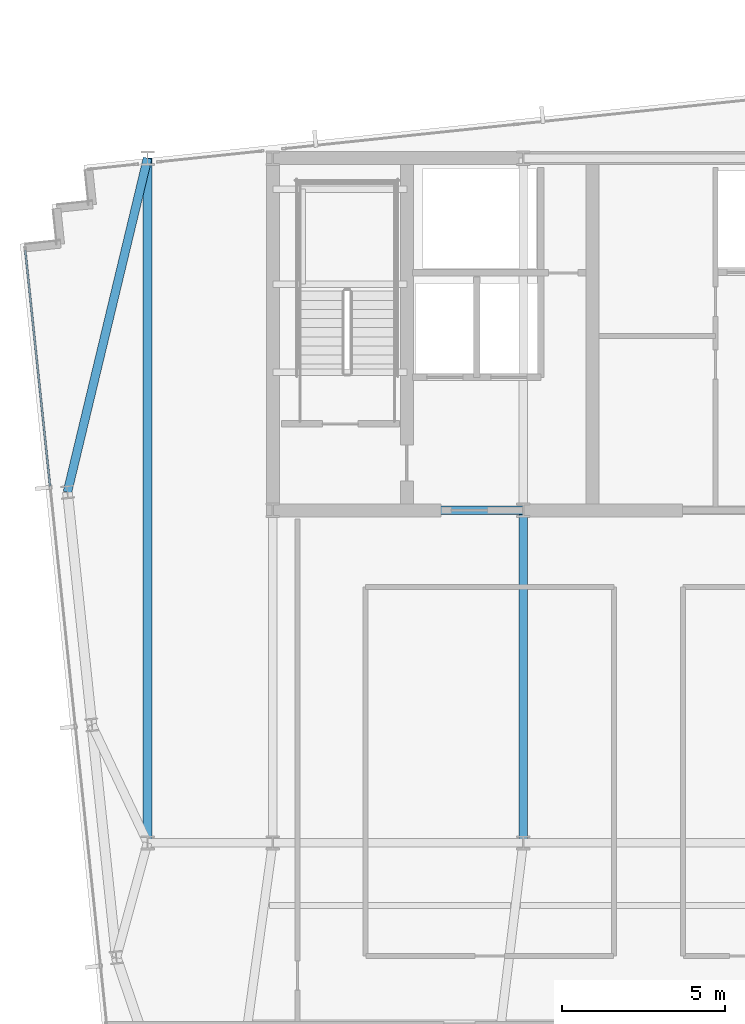
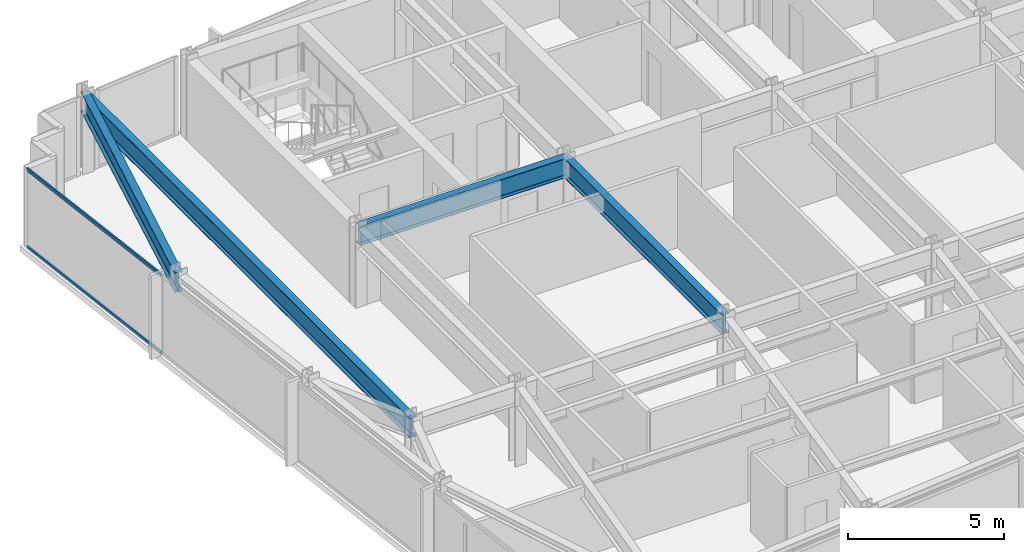
# One storey, part 11 of 32: 4 beams, 2 members, 1 element without a shape of its own.
"""IFC4 building model written with IfcOpenShell, lengths in metres."""

import ifcopenshell
import ifcopenshell.guid

model = None  # the IFC model being written
_history = None  # IfcOwnerHistory: only IFC2X3 demands one
_inside = {}  # id of a spatial element -> (the spatial element, [elements in it])
_under = {}  # id of a project, library or spatial element -> (it, [spatial elements below it])
_declared = {}  # id of a project -> (the project, [libraries it declares])
_typed = {}  # id of a type object -> (the type object, [elements of that type])
_made_of = {}  # id of a material, layer set ... -> (it, [elements and type objects made of it])


def new_model(schema):
    """Start an empty IFC model of exactly this schema.

    Asked for "IFC4X3", IfcOpenShell would pick the latest addendum, in which some entities
    have other attributes; the version numbers below select the first issue.
    IFC2X3 requires an IfcOwnerHistory on every rooted entity: one is made here for all.
    """
    global model, _history
    if schema == "IFC4X3":
        model = ifcopenshell.file(schema_version=(4, 3, 0, 0))
    else:
        model = ifcopenshell.file(schema=schema)
    _inside.clear()
    _under.clear()
    _declared.clear()
    _typed.clear()
    _made_of.clear()
    _history = None
    if model.schema == "IFC2X3":
        org = make("IfcOrganization", Name="unknown")
        user = make(
            "IfcPersonAndOrganization",
            ThePerson=make("IfcPerson", FamilyName="unknown"),
            TheOrganization=org,
        )
        app = make(
            "IfcApplication",
            ApplicationDeveloper=org,
            Version="unknown",
            ApplicationFullName="unknown",
            ApplicationIdentifier="unknown",
        )
        _history = make(
            "IfcOwnerHistory",
            OwningUser=user,
            OwningApplication=app,
            ChangeAction="ADDED",
            CreationDate=0,
        )
    return model


def make(cls, **values):
    """One entity of the class cls with the attributes given. An attribute that is None is left unset."""
    return model.create_entity(
        cls, **{name: value for name, value in values.items() if value is not None}
    )


def rooted(cls, **values):
    """An entity with a GlobalId (a new one), such as an element, a storey or a relation."""
    return make(cls, GlobalId=ifcopenshell.guid.new(), OwnerHistory=_history, **values)


def si_unit(unit_type, name, prefix=None):
    """IfcSIUnit, for example si_unit("LENGTHUNIT", "METRE", prefix="MILLI")."""
    return make("IfcSIUnit", UnitType=unit_type, Prefix=prefix, Name=name)


def assignment(units):
    """IfcUnitAssignment: the units of a project."""
    return None if units is None else make("IfcUnitAssignment", Units=units)


def point(xyz):
    """IfcCartesianPoint."""
    return None if xyz is None else make("IfcCartesianPoint", Coordinates=xyz)


def direction(xyz):
    """IfcDirection."""
    return None if xyz is None else make("IfcDirection", DirectionRatios=xyz)


def frame(location, z_axis=None, x_axis=None):
    """IfcAxis2Placement3D, a coordinate frame: its origin and axes. An axis left out is left unset."""
    return make(
        "IfcAxis2Placement3D",
        Location=point(location),
        Axis=direction(z_axis),
        RefDirection=direction(x_axis),
    )


def frame_2d(location, x_axis=None):
    """IfcAxis2Placement2D, a coordinate frame in the plane: its origin and x axis."""
    return make(
        "IfcAxis2Placement2D", Location=point(location), RefDirection=direction(x_axis)
    )


def origin():
    """The frame at (0, 0, 0) with its axes left unset."""
    return frame((0.0, 0.0, 0.0))


def origin_2d():
    """The frame at (0, 0) in the plane with its x axis left unset."""
    return frame_2d((0.0, 0.0))


def place(relative_to, where):
    """IfcLocalPlacement: puts the frame where relative to a parent placement (None: the world)."""
    return make(
        "IfcLocalPlacement", PlacementRelTo=relative_to, RelativePlacement=where
    )


def context(
    kind, dimensions, precision=None, world=None, true_north=None, identifier=None
):
    """IfcGeometricRepresentationContext, for example the 3D "Model" context."""
    return make(
        "IfcGeometricRepresentationContext",
        ContextIdentifier=identifier,
        ContextType=kind,
        CoordinateSpaceDimension=dimensions,
        Precision=precision,
        WorldCoordinateSystem=world,
        TrueNorth=true_north,
    )


def subcontext(parent, identifier, kind, view, scale=None):
    """IfcGeometricRepresentationSubContext, for example "Body" below "Model"."""
    return make(
        "IfcGeometricRepresentationSubContext",
        ContextIdentifier=identifier,
        ContextType=kind,
        ParentContext=parent,
        TargetScale=scale,
        TargetView=view,
    )


def project(units=None, contexts=None):
    """IfcProject with its units and contexts."""
    return rooted(
        "IfcProject",
        Name="project",
        RepresentationContexts=contexts,
        UnitsInContext=assignment(units),
    )


def spatial(cls, under=None, at=None, **own):
    """A site, building, storey or space (cls), placed at a placement, below another one or the project."""
    s = rooted(cls, ObjectPlacement=at, **own)
    if under is not None:
        _under.setdefault(under.id(), (under, []))[1].append(s)
    return s


def profile(cls, at=None, kind="AREA", **sizes):
    """A parametric profile (cls). Its sizes go by their IFC names, for example OverallWidth=200.0."""
    return make(cls, ProfileType=kind, Position=at, **sizes)


def hollow_rectangle(**sizes):
    """IfcRectangleHollowProfileDef."""
    return profile("IfcRectangleHollowProfileDef", **sizes)


def i_section(**sizes):
    """IfcIShapeProfileDef."""
    return profile("IfcIShapeProfileDef", **sizes)


def extrude(swept, where, along, depth):
    """IfcExtrudedAreaSolid: the profile swept, set in the frame where, extruded along a direction by depth."""
    return make(
        "IfcExtrudedAreaSolid",
        SweptArea=swept,
        Position=where,
        ExtrudedDirection=direction(along),
        Depth=depth,
    )


def shape(context_of_items, identifier, shape_type, items):
    """IfcShapeRepresentation: the items that make up one representation, for example the "Body"."""
    return make(
        "IfcShapeRepresentation",
        ContextOfItems=context_of_items,
        RepresentationIdentifier=identifier,
        RepresentationType=shape_type,
        Items=items,
    )


def material(Name=None, Category=None):
    """IfcMaterial."""
    return make("IfcMaterial", Name=Name, Category=Category)


def material_profile(
    of_material, cross_section, Name=None, Category=None, Priority=None
):
    """IfcMaterialProfile: a cross section and its material."""
    return make(
        "IfcMaterialProfile",
        Name=Name,
        Material=of_material,
        Profile=cross_section,
        Priority=Priority,
        Category=Category,
    )


def profile_set(profiles, Name=None, composite=None):
    """IfcMaterialProfileSet."""
    return make(
        "IfcMaterialProfileSet",
        Name=Name,
        MaterialProfiles=profiles,
        CompositeProfile=composite,
    )


def made_of(thing, what):
    """Note that an element or type object is made of a material, layer set ...; save() writes the relation."""
    if what is not None:
        _made_of.setdefault(what.id(), (what, []))[1].append(thing)
    return thing


def type_object(cls, material=None, **own):
    """A type object (cls), such as IfcWallType, which elements share."""
    return made_of(rooted(cls, **own), material)


def element(
    cls,
    number,
    at=None,
    inside=None,
    cuts=None,
    type_object=None,
    material=None,
    context=None,
    identifier="Body",
    shape_type=None,
    held_by="IfcProductDefinitionShape",
    body=None,
    shapes=None,
    **own,
):
    """One element of the class cls, such as IfcWall. Its Tag is "e" and its number.

    at: its placement. inside: the storey or other place that contains it. cuts: it is an
    opening in that element (IfcRelVoidsElement). A single representation is given by context,
    identifier, shape_type and body (its items); several are given by shapes. held_by: the class
    of the entity that holds the representations. save() writes the other relations.
    """
    e = rooted(cls, Tag="e%d" % number, ObjectPlacement=at, **own)
    if body is not None:
        shapes = [shape(context, identifier, shape_type, body)]
    if shapes is not None:
        e.Representation = make(held_by, Representations=shapes)
    if inside is not None:
        _inside.setdefault(inside.id(), (inside, []))[1].append(e)
    if cuts is not None:
        rooted(
            "IfcRelVoidsElement", RelatingBuildingElement=cuts, RelatedOpeningElement=e
        )
    if type_object is not None:
        _typed.setdefault(type_object.id(), (type_object, []))[1].append(e)
    return made_of(e, material)


def aggregate(whole, parts):
    """IfcRelAggregates: a whole, such as a stair, and the parts it consists of."""
    return rooted("IfcRelAggregates", RelatingObject=whole, RelatedObjects=parts)


def save(model, path):
    """Write the relations noted so far, then the file.

    IfcRelAggregates (storeys below a building ...), IfcRelContainedInSpatialStructure (elements
    in a storey), IfcRelDefinesByType, IfcRelAssociatesMaterial and IfcRelDeclares: one each for
    every whole, place, type object, material and project.
    """
    for whole, parts in _under.values():
        aggregate(whole, parts)
    for where, things in _inside.values():
        rooted(
            "IfcRelContainedInSpatialStructure",
            RelatedElements=things,
            RelatingStructure=where,
        )
    for kind, things in _typed.values():
        rooted("IfcRelDefinesByType", RelatedObjects=things, RelatingType=kind)
    for what, things in _made_of.values():
        rooted("IfcRelAssociatesMaterial", RelatedObjects=things, RelatingMaterial=what)
    for by, libraries in _declared.values():
        rooted("IfcRelDeclares", RelatingContext=by, RelatedDefinitions=libraries)
    model.write(path)


model = new_model("IFC4")

# Units and contexts
model_context = context("Model", 3, precision=1e-05, world=origin(), true_north=direction((0.0, 1.0)))
body_context = subcontext(model_context, "Body", "Model", "MODEL_VIEW")
ifc_project = project(units=[si_unit("LENGTHUNIT", "METRE"), si_unit("AREAUNIT", "SQUARE_METRE"), si_unit("VOLUMEUNIT", "CUBIC_METRE"), si_unit("PLANEANGLEUNIT", "RADIAN"), si_unit("MASSUNIT", "GRAM", prefix="KILO")], contexts=[model_context])

# Site, building, storey
site_placement = place(None, origin())
site = spatial("IfcSite", under=ifc_project, at=site_placement, CompositionType="ELEMENT")
building_placement = place(site_placement, origin())
building = spatial("IfcBuilding", under=site, at=building_placement, Name="Yelkora Congress Tower", CompositionType="ELEMENT")
storey_placement = place(building_placement, frame((0.0, 0.0, 217.699951171875)))
storey = spatial("IfcBuildingStorey", under=building, at=storey_placement, Name="L60", CompositionType="ELEMENT", Elevation=217.699951171875)

# Beams
ifc_material_1 = material(Name="Steel S355J2", Category="steel")
ifc_material_profile_1 = material_profile(ifc_material_1, i_section(OverallWidth=0.26708984375, OverallDepth=0.761962890625, WebThickness=0.014404296875, FlangeThickness=0.021484375, FilletRadius=0.01708984375, at=origin_2d()), Name="IPE 750x173")
ifc_profile_set_1 = profile_set([ifc_material_profile_1], Name="Steel S355J2")
beam_type = type_object("IfcBeamType", Name="BM-GIRD-IPE750", PredefinedType="BEAM", material=ifc_profile_set_1)
beam_1_placement = place(storey_placement, frame((23.0400390625, 35.39990234375, 2.698974609375), z_axis=(1.0, 0.0, 0.0), x_axis=(0.0, 1.0, 0.0)))
element("IfcBeam", 1, at=beam_1_placement, inside=storey, type_object=beam_type, Name="L60 Core South Girder 1", PredefinedType="BEAM", context=body_context, shape_type="SweptSolid", body=[
    extrude(i_section(OverallWidth=0.26708984375, OverallDepth=0.761962890625, WebThickness=0.014404296875, FlangeThickness=0.021484375, FilletRadius=0.01708984375, at=origin_2d()), origin(), (0.0, 0.0, 1.0), 7.679931640625),
])
beam_2_placement = place(storey_placement, frame((30.719970703125, 25.199951171875, 2.698974609375), z_axis=(0.0, 1.0, 0.0), x_axis=(-1.0, 0.0, 0.0)))
element("IfcBeam", 2, at=beam_2_placement, inside=storey, type_object=beam_type, Name="L60 Core Tie Girder MC-D2", PredefinedType="BEAM", context=body_context, shape_type="SweptSolid", body=[
    extrude(i_section(OverallWidth=0.26708984375, OverallDepth=0.761962890625, WebThickness=0.014404296875, FlangeThickness=0.021484375, FilletRadius=0.01708984375, at=origin_2d()), origin(), (0.0, 0.0, 1.0), 10.199951171875),
])
beam_3_placement = place(storey_placement, frame((19.199951171875, 25.199951171875, 2.698974609375), z_axis=(0.0, 1.0, 0.0), x_axis=(-1.0, 0.0, 0.0)))
element("IfcBeam", 3, at=beam_3_placement, inside=storey, type_object=beam_type, Name="L60 Neck Flank Girder MC-F1", PredefinedType="BEAM", context=body_context, shape_type="SweptSolid", body=[
    extrude(i_section(OverallWidth=0.26708984375, OverallDepth=0.761962890625, WebThickness=0.014404296875, FlangeThickness=0.021484375, FilletRadius=0.01708984375, at=origin_2d()), origin(), (0.0, 0.0, 1.0), 21.0),
])
beam_4_placement = place(storey_placement, frame((16.7412109375, 35.95458984375, 2.698974609375), z_axis=(0.233359806768, 0.972390456856, 0.0), x_axis=(-0.972390456856, 0.233359806768, 0.0)))
element("IfcBeam", 4, at=beam_4_placement, inside=storey, type_object=beam_type, Name="L60 Primary Frame Girder W03", PredefinedType="BEAM", context=body_context, shape_type="SweptSolid", body=[
    extrude(i_section(OverallWidth=0.26708984375, OverallDepth=0.761962890625, WebThickness=0.014404296875, FlangeThickness=0.021484375, FilletRadius=0.01708984375, at=origin_2d()), origin(), (0.0, 0.0, 1.0), 10.536376953125),
])

# Curtain wall, members
ifc_material_2 = material(Name="Anodised aluminium and insulated glass", Category="aluminium")
curtain_wall_type = type_object("IfcCurtainWallType", Name="CW-SYS-B4", PredefinedType="NOTDEFINED", material=ifc_material_2)
curtain_wall_placement = place(storey_placement, origin())
curtain_wall = element("IfcCurtainWall", 5, at=curtain_wall_placement, inside=storey, type_object=curtain_wall_type, Name="L60 Unitised Curtain Wall 5", PredefinedType="NOTDEFINED")
ifc_material_3 = material(Name="Anodised aluminium 6063-T6", Category="aluminium")
ifc_material_profile_2 = material_profile(ifc_material_3, hollow_rectangle(XDim=0.06005859375, YDim=0.1298828125, WallThickness=0.00390625, at=origin_2d()), Name="ALU 60x130x4")
ifc_profile_set_2 = profile_set([ifc_material_profile_2], Name="Anodised aluminium 6063-T6")
member_type = type_object("IfcMemberType", Name="MEM-TR-B4", PredefinedType="USERDEFINED", material=ifc_profile_set_2)
member_1_placement = place(storey_placement, frame((16.208984375, 36.137451171875, 0.030029296875), z_axis=(-0.104494567873, 0.994525457334, 0.0), x_axis=(-0.994525457334, -0.104494567873, 0.0)))
member_1 = element("IfcMember", 6, at=member_1_placement, type_object=member_type, Name="CW-B4 transom 4.1", ObjectType="TRANSOM", PredefinedType="USERDEFINED", context=body_context, shape_type="SweptSolid", body=[
    extrude(hollow_rectangle(XDim=0.06005859375, YDim=0.1298828125, WallThickness=0.00390625, at=origin_2d()), origin(), (0.0, 0.0, 1.0), 7.282470703125),
])
member_2_placement = place(storey_placement, frame((16.208984375, 36.137451171875, 3.050048828125), z_axis=(-0.104494567873, 0.994525457334, 0.0), x_axis=(-0.994525457334, -0.104494567873, 0.0)))
member_2 = element("IfcMember", 7, at=member_2_placement, type_object=member_type, Name="CW-B4 transom 4.2", ObjectType="TRANSOM", PredefinedType="USERDEFINED", context=body_context, shape_type="SweptSolid", body=[
    extrude(hollow_rectangle(XDim=0.06005859375, YDim=0.1298828125, WallThickness=0.00390625, at=origin_2d()), origin(), (0.0, 0.0, 1.0), 7.282470703125),
])
aggregate(curtain_wall, [member_1, member_2])

save(model, "model.ifc")
